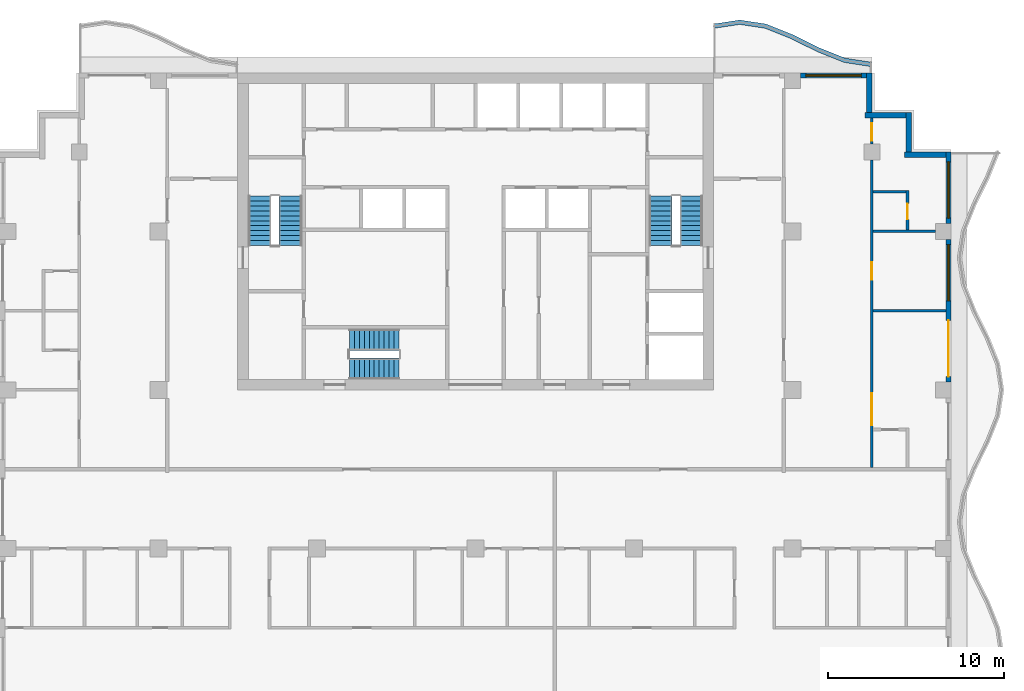
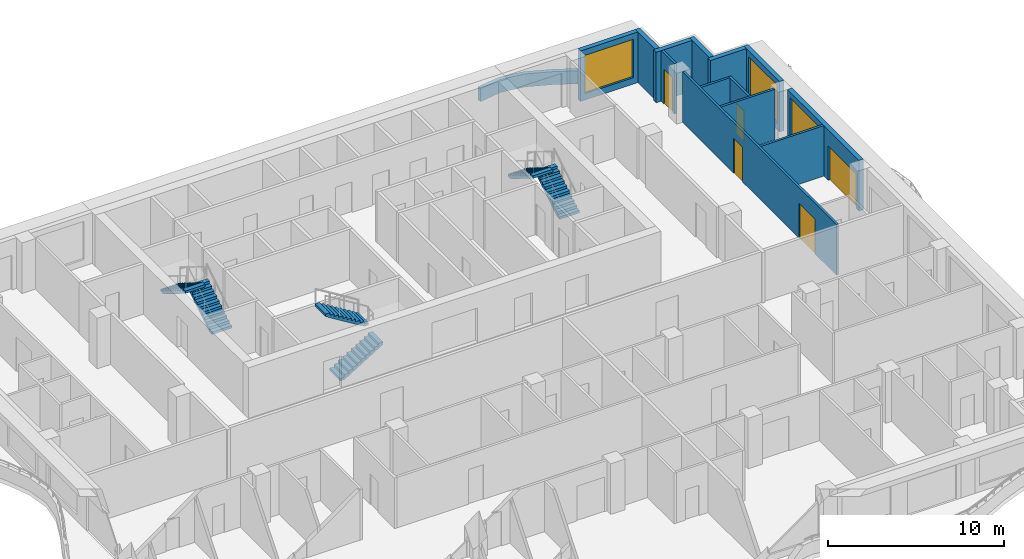
# One storey, part 7 of 12: 14 walls, 6 stair flights, 5 doors, 3 windows, 8 openings, 3 elements without a shape of their own.
"""IFC4 building model written with IfcOpenShell, lengths in metres."""

from ifc_helpers import new_model, si_unit, direction, frame, frame_2d, origin, place, context, subcontext, project, spatial, polyline, rectangle, outline, extrude, material, layer, layer_set, type_object, element, fill, aggregate, save


model = new_model("IFC4")

# Units and contexts
model_context = context("Model", 3, precision=1e-05, world=origin(), true_north=direction((0.0, 1.0)))
body_context = subcontext(model_context, "Body", "Model", "MODEL_VIEW")
ifc_project = project(units=[si_unit("LENGTHUNIT", "METRE"), si_unit("AREAUNIT", "SQUARE_METRE"), si_unit("VOLUMEUNIT", "CUBIC_METRE"), si_unit("PLANEANGLEUNIT", "RADIAN"), si_unit("MASSUNIT", "GRAM", prefix="KILO")], contexts=[model_context])

# Site, building, storey
site_placement = place(None, origin())
site = spatial("IfcSite", under=ifc_project, at=site_placement, CompositionType="ELEMENT")
building_placement = place(site_placement, origin())
building = spatial("IfcBuilding", under=site, at=building_placement, Name="Orbiselva Terraces", CompositionType="ELEMENT")
storey_placement = place(building_placement, frame((0.0, 0.0, 265.4)))
storey = spatial("IfcBuildingStorey", under=building, at=storey_placement, Name="L67", CompositionType="ELEMENT", Elevation=265.4)

# Wall
ifc_material_1 = material(Name="Concrete C40/50", Category="concrete")
ifc_layer_1 = layer(ifc_material_1, 0.25)
ifc_layer_set_1 = layer_set([ifc_layer_1], Name="Concrete C40/50")
wall_type_1 = type_object("IfcWallType", Name="ENV-PLANTER-250x900", PredefinedType="USERDEFINED", material=ifc_layer_set_1)
wall_1_placement = place(storey_placement, origin())
element("IfcWall", 1, at=wall_1_placement, inside=storey, type_object=wall_type_1, Name="Balcony planter L67 NE", ObjectType="PLANTER", PredefinedType="USERDEFINED", context=body_context, shape_type="SweptSolid", body=[
    extrude(outline(polyline([(22.5, 23.1), (21.0, 23.32918), (19.5, 23.92918), (18.0, 24.67082), (16.5, 25.27082), (15.0, 25.5), (13.5, 25.27082), (13.537758, 25.023688), (15.0, 25.247099), (16.433834, 25.028028), (17.898017, 24.442355), (19.398017, 23.700715), (20.933834, 23.086388), (22.462242, 22.852868), (22.5, 23.1)])), origin(), (0.0, 0.0, 1.0), 0.9),
])

# Wall, openings, door, window
ifc_material_2 = material(Name="Terracotta cladding on masonry backing", Category="masonry")
ifc_layer_2 = layer(ifc_material_2, 0.3)
ifc_layer_set_2 = layer_set([ifc_layer_2], Name="Terracotta cladding on masonry backing")
wall_type_2 = type_object("IfcWallType", Name="ENV-WALL-TERRACOTTA-300", PredefinedType="SOLIDWALL", material=ifc_layer_set_2)
wall_2_placement = place(storey_placement, frame((26.85, 13.05, 0.0), z_axis=(0.0, 0.0, 1.0), x_axis=(0.0, -1.0, 0.0)))
wall_2 = element("IfcWall", 2, at=wall_2_placement, inside=storey, type_object=wall_type_2, Name="Facade wall L67 E", PredefinedType="SOLIDWALL", context=body_context, shape_type="SweptSolid", body=[
    extrude(rectangle(XDim=8.1, YDim=0.3, at=frame_2d((4.05, 0.0))), origin(), (0.0, 0.0, 1.0), 3.5),
])
opening_1_placement = place(wall_2_placement, frame((4.6, 0.0, 0.0)))
opening_1 = element("IfcOpeningElement", 3, at=opening_1_placement, cuts=wall_2, Name="Opening Z5-C-E07", PredefinedType="OPENING", context=body_context, shape_type="SweptSolid", body=[
    extrude(rectangle(XDim=3.2, YDim=2.4, at=frame_2d((1.6, 1.2))), frame((0.0, 0.16, 0.0), z_axis=(0.0, -1.0, 0.0), x_axis=(1.0, 0.0, 0.0)), (0.0, 0.0, 1.0), 0.32),
])
opening_2_placement = place(wall_2_placement, frame((0.3, 0.0, 0.45)))
opening_2 = element("IfcOpeningElement", 4, at=opening_2_placement, cuts=wall_2, Name="Opening WN17", PredefinedType="OPENING", context=body_context, shape_type="SweptSolid", body=[
    extrude(rectangle(XDim=3.2, YDim=2.65, at=frame_2d((1.6, 1.325))), frame((0.0, 0.16, 0.0), z_axis=(0.0, -1.0, 0.0), x_axis=(1.0, 0.0, 0.0)), (0.0, 0.0, 1.0), 0.32),
])
ifc_material_3 = material(Name="Clear low-e glazing in aluminium frame", Category="aluminium")
door_type_1 = type_object("IfcDoorType", Name="BALCONY DOOR 3200 X 2400", OperationType="DOUBLE_DOOR_SLIDING", PredefinedType="DOOR", material=ifc_material_3)
door_1_placement = place(opening_1_placement, origin())
door_1 = element("IfcDoor", 5, at=door_1_placement, inside=storey, type_object=door_type_1, Name="Z5-C-E07", OperationType="SINGLE_SWING_LEFT", OverallHeight=2.4, OverallWidth=3.2, PredefinedType="DOOR", context=body_context, shape_type="SweptSolid", body=[
    extrude(rectangle(XDim=3.2, YDim=2.4, at=frame_2d((1.6, 1.2))), frame((0.0, 0.025, 0.0), z_axis=(0.0, -1.0, 0.0), x_axis=(1.0, 0.0, 0.0)), (0.0, 0.0, 1.0), 0.05),
])
fill(opening_1, door_1)
window_type_1 = type_object("IfcWindowType", Name="WINDOW 3200 X 2650 S450", PartitioningType="TRIPLE_PANEL_VERTICAL", PredefinedType="WINDOW", material=ifc_material_3)
window_1_placement = place(opening_2_placement, origin())
window_1 = element("IfcWindow", 6, at=window_1_placement, inside=storey, type_object=window_type_1, Name="Window L67 E", OverallHeight=2.65, OverallWidth=3.2, PartitioningType="SINGLE_PANEL", PredefinedType="WINDOW", context=body_context, shape_type="SweptSolid", body=[
    extrude(rectangle(XDim=3.2, YDim=2.65, at=frame_2d((1.6, 1.325))), frame((0.0, 0.03, 0.0), z_axis=(0.0, -1.0, 0.0), x_axis=(1.0, 0.0, 0.0)), (0.0, 0.0, 1.0), 0.06),
])
fill(opening_2, window_1)

# Wall, opening, window
wall_3_placement = place(storey_placement, frame((26.85, 18.0, 0.0), z_axis=(0.0, 0.0, 1.0), x_axis=(0.0, -1.0, 0.0)))
wall_3 = element("IfcWall", 7, at=wall_3_placement, inside=storey, type_object=wall_type_2, Name="Facade wall L67 E", PredefinedType="SOLIDWALL", context=body_context, shape_type="SweptSolid", body=[
    extrude(rectangle(XDim=4.05, YDim=0.3, at=frame_2d((2.025, 0.0))), origin(), (0.0, 0.0, 1.0), 3.5),
])
opening_3_placement = place(wall_3_placement, frame((0.55, 0.0, 0.45)))
opening_3 = element("IfcOpeningElement", 8, at=opening_3_placement, cuts=wall_3, Name="Opening WN17", PredefinedType="OPENING", context=body_context, shape_type="SweptSolid", body=[
    extrude(rectangle(XDim=3.2, YDim=2.65, at=frame_2d((1.6, 1.325))), frame((0.0, 0.16, 0.0), z_axis=(0.0, -1.0, 0.0), x_axis=(1.0, 0.0, 0.0)), (0.0, 0.0, 1.0), 0.32),
])
window_2_placement = place(opening_3_placement, origin())
window_2 = element("IfcWindow", 9, at=window_2_placement, inside=storey, type_object=window_type_1, Name="Window L67 E", OverallHeight=2.65, OverallWidth=3.2, PartitioningType="SINGLE_PANEL", PredefinedType="WINDOW", context=body_context, shape_type="SweptSolid", body=[
    extrude(rectangle(XDim=3.2, YDim=2.65, at=frame_2d((1.6, 1.325))), frame((0.0, 0.03, 0.0), z_axis=(0.0, -1.0, 0.0), x_axis=(1.0, 0.0, 0.0)), (0.0, 0.0, 1.0), 0.06),
])
fill(opening_3, window_2)

# Walls
wall_4_placement = place(storey_placement, frame((24.35, 17.85, 0.0), z_axis=(0.0, 0.0, 1.0), x_axis=(1.0, 0.0, 0.0)))
element("IfcWall", 10, at=wall_4_placement, inside=storey, type_object=wall_type_2, Name="Facade wall L67 STEP", PredefinedType="SOLIDWALL", context=body_context, shape_type="SweptSolid", body=[
    extrude(rectangle(XDim=2.35, YDim=0.3, at=frame_2d((1.175, 0.0))), origin(), (0.0, 0.0, 1.0), 3.5),
])
wall_5_placement = place(storey_placement, frame((24.6, 20.25, 0.0), z_axis=(0.0, 0.0, 1.0), x_axis=(0.0, -1.0, 0.0)))
element("IfcWall", 11, at=wall_5_placement, inside=storey, type_object=wall_type_2, Name="Facade wall L67 STEP", PredefinedType="SOLIDWALL", context=body_context, shape_type="SweptSolid", body=[
    extrude(rectangle(XDim=2.25, YDim=0.3, at=frame_2d((1.125, 0.0))), origin(), (0.0, 0.0, 1.0), 3.5),
])
wall_6_placement = place(storey_placement, frame((22.1, 20.1, 0.0), z_axis=(0.0, 0.0, 1.0), x_axis=(1.0, 0.0, 0.0)))
element("IfcWall", 12, at=wall_6_placement, inside=storey, type_object=wall_type_2, Name="Facade wall L67 STEP", PredefinedType="SOLIDWALL", context=body_context, shape_type="SweptSolid", body=[
    extrude(rectangle(XDim=2.35, YDim=0.3, at=frame_2d((1.175, 0.0))), origin(), (0.0, 0.0, 1.0), 3.5),
])
wall_7_placement = place(storey_placement, frame((22.35, 22.5, 0.0), z_axis=(0.0, 0.0, 1.0), x_axis=(0.0, -1.0, 0.0)))
element("IfcWall", 13, at=wall_7_placement, inside=storey, type_object=wall_type_2, Name="Facade wall L67 STEP", PredefinedType="SOLIDWALL", context=body_context, shape_type="SweptSolid", body=[
    extrude(rectangle(XDim=2.25, YDim=0.3, at=frame_2d((1.125, 0.0))), origin(), (0.0, 0.0, 1.0), 3.5),
])

# Wall, opening, window
wall_8_placement = place(storey_placement, frame((18.45, 22.35, 0.0), z_axis=(0.0, 0.0, 1.0), x_axis=(1.0, 0.0, 0.0)))
wall_8 = element("IfcWall", 14, at=wall_8_placement, inside=storey, type_object=wall_type_2, Name="Facade wall L67 NE", PredefinedType="SOLIDWALL", context=body_context, shape_type="SweptSolid", body=[
    extrude(rectangle(XDim=3.75, YDim=0.3, at=frame_2d((1.875, 0.0))), origin(), (0.0, 0.0, 1.0), 3.5),
])
opening_4_placement = place(wall_8_placement, frame((0.3, 0.0, 0.45)))
opening_4 = element("IfcOpeningElement", 15, at=opening_4_placement, cuts=wall_8, Name="Opening WN16", PredefinedType="OPENING", context=body_context, shape_type="SweptSolid", body=[
    extrude(rectangle(XDim=3.15, YDim=2.65, at=frame_2d((1.575, 1.325))), frame((0.0, 0.16, 0.0), z_axis=(0.0, -1.0, 0.0), x_axis=(1.0, 0.0, 0.0)), (0.0, 0.0, 1.0), 0.32),
])
window_type_2 = type_object("IfcWindowType", Name="WINDOW 3150 X 2650 S450", PartitioningType="TRIPLE_PANEL_VERTICAL", PredefinedType="WINDOW", material=ifc_material_3)
window_3_placement = place(opening_4_placement, origin())
window_3 = element("IfcWindow", 16, at=window_3_placement, inside=storey, type_object=window_type_2, Name="Window L67 NE", OverallHeight=2.65, OverallWidth=3.15, PartitioningType="SINGLE_PANEL", PredefinedType="WINDOW", context=body_context, shape_type="SweptSolid", body=[
    extrude(rectangle(XDim=3.15, YDim=2.65, at=frame_2d((1.575, 1.325))), frame((0.0, 0.03, 0.0), z_axis=(0.0, -1.0, 0.0), x_axis=(1.0, 0.0, 0.0)), (0.0, 0.0, 1.0), 0.06),
])
fill(opening_4, window_3)

# Walls
ifc_material_4 = material(Name="Plasterboard on steel stud partition", Category="steel")
ifc_layer_3 = layer(ifc_material_4, 0.15)
ifc_layer_set_3 = layer_set([ifc_layer_3], Name="Plasterboard on steel stud partition")
wall_type_3 = type_object("IfcWallType", Name="UNIT-PARTITION-150", PredefinedType="PARTITIONING", material=ifc_layer_set_3)
wall_9_placement = place(storey_placement, frame((22.575, 9.0, 0.0), z_axis=(0.0, 0.0, 1.0), x_axis=(1.0, 0.0, 0.0)))
element("IfcWall", 17, at=wall_9_placement, inside=storey, type_object=wall_type_3, Name="PARTITION L67-037", PredefinedType="PARTITIONING", context=body_context, shape_type="SweptSolid", body=[
    extrude(rectangle(XDim=4.125, YDim=0.15, at=frame_2d((2.0625, 0.0))), origin(), (0.0, 0.0, 1.0), 3.5),
])
wall_10_placement = place(storey_placement, frame((22.575, 13.5, 0.0), z_axis=(0.0, 0.0, 1.0), x_axis=(1.0, 0.0, 0.0)))
element("IfcWall", 18, at=wall_10_placement, inside=storey, type_object=wall_type_3, Name="PARTITION L67-039", PredefinedType="PARTITIONING", context=body_context, shape_type="SweptSolid", body=[
    extrude(rectangle(XDim=3.525, YDim=0.15, at=frame_2d((1.7625, 0.0))), origin(), (0.0, 0.0, 1.0), 3.5),
])
wall_11_placement = place(storey_placement, frame((22.575, 15.75, 0.0), z_axis=(0.0, 0.0, 1.0), x_axis=(1.0, 0.0, 0.0)))
element("IfcWall", 19, at=wall_11_placement, inside=storey, type_object=wall_type_3, Name="PARTITION L67-040", PredefinedType="PARTITIONING", context=body_context, shape_type="SweptSolid", body=[
    extrude(rectangle(XDim=1.875, YDim=0.15, at=frame_2d((0.9375, 0.0))), origin(), (0.0, 0.0, 1.0), 3.5),
])

# Wall, openings, doors
wall_12_placement = place(storey_placement, frame((22.5, 17.55, 0.0), z_axis=(0.0, 0.0, 1.0), x_axis=(0.0, -1.0, 0.0)))
wall_12 = element("IfcWall", 20, at=wall_12_placement, inside=storey, type_object=wall_type_3, Name="PARTITION L67-089", PredefinedType="PARTITIONING", context=body_context, shape_type="SweptSolid", body=[
    extrude(rectangle(XDim=17.45, YDim=0.15, at=frame_2d((8.725, 0.0))), origin(), (0.0, 0.0, 1.0), 3.5),
])
opening_5_placement = place(wall_12_placement, frame((13.25, 0.0, 0.0)))
opening_5 = element("IfcOpeningElement", 21, at=opening_5_placement, cuts=wall_12, Name="Opening Z5-C-10", PredefinedType="OPENING", context=body_context, shape_type="SweptSolid", body=[
    extrude(rectangle(XDim=1.8, YDim=2.4, at=frame_2d((0.9, 1.2))), frame((0.0, 0.085, 0.0), z_axis=(0.0, -1.0, 0.0), x_axis=(1.0, 0.0, 0.0)), (0.0, 0.0, 1.0), 0.17),
])
opening_6_placement = place(wall_12_placement, frame((5.8, 0.0, 0.0)))
opening_6 = element("IfcOpeningElement", 22, at=opening_6_placement, cuts=wall_12, Name="Opening Z5-C-12", PredefinedType="OPENING", context=body_context, shape_type="SweptSolid", body=[
    extrude(rectangle(XDim=1.0, YDim=2.4, at=frame_2d((0.5, 1.2))), frame((0.0, 0.085, 0.0), z_axis=(0.0, -1.0, 0.0), x_axis=(1.0, 0.0, 0.0)), (0.0, 0.0, 1.0), 0.17),
])
ifc_material_5 = material(Name="Painted timber door leaf", Category="wood")
door_type_2 = type_object("IfcDoorType", Name="DOUBLE DOOR 1800", OperationType="NOTDEFINED", PredefinedType="DOOR", material=ifc_material_5)
door_2_placement = place(opening_5_placement, origin())
door_2 = element("IfcDoor", 23, at=door_2_placement, inside=storey, type_object=door_type_2, Name="Z5-C-10", OperationType="DOUBLE_DOOR_SINGLE_SWING", OverallHeight=2.4, OverallWidth=1.8, PredefinedType="DOOR", context=body_context, shape_type="SweptSolid", body=[
    extrude(rectangle(XDim=1.8, YDim=2.4, at=frame_2d((0.9, 1.2))), frame((0.0, 0.025, 0.0), z_axis=(0.0, -1.0, 0.0), x_axis=(1.0, 0.0, 0.0)), (0.0, 0.0, 1.0), 0.05),
])
fill(opening_5, door_2)
door_type_3 = type_object("IfcDoorType", Name="ROOM DOOR 1000", OperationType="NOTDEFINED", PredefinedType="DOOR", material=ifc_material_5)
door_3_placement = place(opening_6_placement, origin())
door_3 = element("IfcDoor", 24, at=door_3_placement, inside=storey, type_object=door_type_3, Name="Z5-C-12", OperationType="SINGLE_SWING_LEFT", OverallHeight=2.4, OverallWidth=1.0, PredefinedType="DOOR", context=body_context, shape_type="SweptSolid", body=[
    extrude(rectangle(XDim=1.0, YDim=2.4, at=frame_2d((0.5, 1.2))), frame((0.0, 0.025, 0.0), z_axis=(0.0, -1.0, 0.0), x_axis=(1.0, 0.0, 0.0)), (0.0, 0.0, 1.0), 0.05),
])
fill(opening_6, door_3)

# Wall, opening, door
wall_13_placement = place(storey_placement, frame((22.5, 19.95, 0.0), z_axis=(0.0, 0.0, 1.0), x_axis=(0.0, -1.0, 0.0)))
wall_13 = element("IfcWall", 25, at=wall_13_placement, inside=storey, type_object=wall_type_3, Name="PARTITION L67-090", PredefinedType="PARTITIONING", context=body_context, shape_type="SweptSolid", body=[
    extrude(rectangle(XDim=1.5, YDim=0.15, at=frame_2d((0.75, 0.0))), origin(), (0.0, 0.0, 1.0), 3.5),
])
opening_7_placement = place(wall_13_placement, frame((0.3, 0.0, 0.0)))
opening_7 = element("IfcOpeningElement", 26, at=opening_7_placement, cuts=wall_13, Name="Opening Z5-C-13", PredefinedType="OPENING", context=body_context, shape_type="SweptSolid", body=[
    extrude(rectangle(XDim=1.0, YDim=2.4, at=frame_2d((0.5, 1.2))), frame((0.0, 0.085, 0.0), z_axis=(0.0, -1.0, 0.0), x_axis=(1.0, 0.0, 0.0)), (0.0, 0.0, 1.0), 0.17),
])
door_4_placement = place(opening_7_placement, origin())
door_4 = element("IfcDoor", 27, at=door_4_placement, inside=storey, type_object=door_type_3, Name="Z5-C-13", OperationType="SINGLE_SWING_RIGHT", OverallHeight=2.4, OverallWidth=1.0, PredefinedType="DOOR", context=body_context, shape_type="SweptSolid", body=[
    extrude(rectangle(XDim=1.0, YDim=2.4, at=frame_2d((0.5, 1.2))), frame((0.0, 0.025, 0.0), z_axis=(0.0, -1.0, 0.0), x_axis=(1.0, 0.0, 0.0)), (0.0, 0.0, 1.0), 0.05),
])
fill(opening_7, door_4)

wall_14_placement = place(storey_placement, frame((24.525, 13.575, 0.0), z_axis=(0.0, 0.0, 1.0), x_axis=(0.0, 1.0, 0.0)))
wall_14 = element("IfcWall", 28, at=wall_14_placement, inside=storey, type_object=wall_type_3, Name="PARTITION L67-093", PredefinedType="PARTITIONING", context=body_context, shape_type="SweptSolid", body=[
    extrude(rectangle(XDim=2.25, YDim=0.15, at=frame_2d((1.125, 0.0))), origin(), (0.0, 0.0, 1.0), 3.5),
])
opening_8_placement = place(wall_14_placement, frame((0.6, 0.0, 0.0)))
opening_8 = element("IfcOpeningElement", 29, at=opening_8_placement, cuts=wall_14, Name="Opening Z5-C-14", PredefinedType="OPENING", context=body_context, shape_type="SweptSolid", body=[
    extrude(rectangle(XDim=0.9, YDim=2.1, at=frame_2d((0.45, 1.05))), frame((0.0, 0.085, 0.0), z_axis=(0.0, -1.0, 0.0), x_axis=(1.0, 0.0, 0.0)), (0.0, 0.0, 1.0), 0.17),
])
door_type_4 = type_object("IfcDoorType", Name="BATH DOOR 900", OperationType="NOTDEFINED", PredefinedType="DOOR", material=ifc_material_5)
door_5_placement = place(opening_8_placement, origin())
door_5 = element("IfcDoor", 30, at=door_5_placement, inside=storey, type_object=door_type_4, Name="Z5-C-14", OperationType="SINGLE_SWING_LEFT", OverallHeight=2.1, OverallWidth=0.9, PredefinedType="DOOR", context=body_context, shape_type="SweptSolid", body=[
    extrude(rectangle(XDim=0.9, YDim=2.1, at=frame_2d((0.45, 1.05))), frame((0.0, 0.025, 0.0), z_axis=(0.0, -1.0, 0.0), x_axis=(1.0, 0.0, 0.0)), (0.0, 0.0, 1.0), 0.05),
])
fill(opening_8, door_5)

# Stair, stair flights
stair_type_1 = type_object("IfcStairType", Name="CORE-STAIR-1200", PredefinedType="HALF_TURN_STAIR", material=ifc_material_1)
stair_1_placement = place(storey_placement, origin())
stair_1 = element("IfcStair", 31, at=stair_1_placement, inside=storey, type_object=stair_type_1, Name="L67 Exit Stair S3", PredefinedType="HALF_TURN_STAIR")
stair_flight_type_1 = type_object("IfcStairFlightType", Name="CORE-STAIR-FLIGHT-1200", PredefinedType="STRAIGHT", material=ifc_material_1)
stair_flight_1_placement = place(storey_placement, frame((-7.15, 5.7, 0.0), z_axis=(0.0, 0.0, 1.0), x_axis=(1.0, 0.0, 0.0)))
stair_flight_1 = element("IfcStairFlight", 32, at=stair_flight_1_placement, type_object=stair_flight_type_1, Name="S3 flight 1", NumberOfRisers=11, NumberOfTreads=10, PredefinedType="STRAIGHT", RiserHeight=0.172727273, TreadLength=0.28, context=body_context, shape_type="SweptSolid", body=[
    extrude(outline(polyline([(0.0, 0.0), (0.0, 0.172727), (0.28, 0.172727), (0.28, 0.345455), (0.56, 0.345455), (0.56, 0.518182), (0.84, 0.518182), (0.84, 0.690909), (1.12, 0.690909), (1.12, 0.863636), (1.4, 0.863636), (1.4, 1.036364), (1.68, 1.036364), (1.68, 1.209091), (1.96, 1.209091), (1.96, 1.381818), (2.24, 1.381818), (2.24, 1.554545), (2.52, 1.554545), (2.52, 1.727273), (2.8, 1.727273), (2.8, 1.9), (2.8, 1.551028), (0.285702, 0.0), (0.0, 0.0)])), frame((0.0, 0.6, 0.0), z_axis=(0.0, -1.0, 0.0), x_axis=(1.0, 0.0, 0.0)), (0.0, 0.0, 1.0), 1.2),
])
stair_flight_2_placement = place(storey_placement, frame((-4.35, 7.35, 1.9), z_axis=(0.0, 0.0, 1.0), x_axis=(-1.0, 0.0, 0.0)))
stair_flight_2 = element("IfcStairFlight", 33, at=stair_flight_2_placement, type_object=stair_flight_type_1, Name="S3 flight 2", NumberOfRisers=11, NumberOfTreads=10, PredefinedType="STRAIGHT", RiserHeight=0.172727273, TreadLength=0.28, context=body_context, shape_type="SweptSolid", body=[
    extrude(outline(polyline([(0.0, 0.0), (0.0, 0.172727), (0.28, 0.172727), (0.28, 0.345455), (0.56, 0.345455), (0.56, 0.518182), (0.84, 0.518182), (0.84, 0.690909), (1.12, 0.690909), (1.12, 0.863636), (1.4, 0.863636), (1.4, 1.036364), (1.68, 1.036364), (1.68, 1.209091), (1.96, 1.209091), (1.96, 1.381818), (2.24, 1.381818), (2.24, 1.554545), (2.52, 1.554545), (2.52, 1.727273), (2.8, 1.727273), (2.8, 1.9), (2.8, 1.551028), (0.285702, 0.0), (0.0, 0.0)])), frame((0.0, 0.6, 0.0), z_axis=(0.0, -1.0, 0.0), x_axis=(1.0, 0.0, 0.0)), (0.0, 0.0, 1.0), 1.2),
])
aggregate(stair_1, [stair_flight_1, stair_flight_2])

stair_type_2 = type_object("IfcStairType", Name="CORE-STAIR-1300", PredefinedType="HALF_TURN_STAIR", material=ifc_material_1)
stair_2_placement = place(storey_placement, origin())
stair_2 = element("IfcStair", 34, at=stair_2_placement, inside=storey, type_object=stair_type_2, Name="L67 Exit Stair S1", PredefinedType="HALF_TURN_STAIR")
stair_flight_type_2 = type_object("IfcStairFlightType", Name="CORE-STAIR-FLIGHT-1300", PredefinedType="STRAIGHT", material=ifc_material_1)
stair_flight_3_placement = place(storey_placement, frame((-10.5, 12.7, 0.0), z_axis=(0.0, 0.0, 1.0), x_axis=(0.0, 1.0, 0.0)))
stair_flight_3 = element("IfcStairFlight", 35, at=stair_flight_3_placement, type_object=stair_flight_type_2, Name="S1 flight 1", NumberOfRisers=11, NumberOfTreads=10, PredefinedType="STRAIGHT", RiserHeight=0.172727273, TreadLength=0.28, context=body_context, shape_type="SweptSolid", body=[
    extrude(outline(polyline([(0.0, 0.0), (0.0, 0.172727), (0.28, 0.172727), (0.28, 0.345455), (0.56, 0.345455), (0.56, 0.518182), (0.84, 0.518182), (0.84, 0.690909), (1.12, 0.690909), (1.12, 0.863636), (1.4, 0.863636), (1.4, 1.036364), (1.68, 1.036364), (1.68, 1.209091), (1.96, 1.209091), (1.96, 1.381818), (2.24, 1.381818), (2.24, 1.554545), (2.52, 1.554545), (2.52, 1.727273), (2.8, 1.727273), (2.8, 1.9), (2.8, 1.551028), (0.285702, 0.0), (0.0, 0.0)])), frame((0.0, 0.65, 0.0), z_axis=(0.0, -1.0, 0.0), x_axis=(1.0, 0.0, 0.0)), (0.0, 0.0, 1.0), 1.3),
])
stair_flight_4_placement = place(storey_placement, frame((-12.25, 15.5, 1.9), z_axis=(0.0, 0.0, 1.0), x_axis=(0.0, -1.0, 0.0)))
stair_flight_4 = element("IfcStairFlight", 36, at=stair_flight_4_placement, type_object=stair_flight_type_2, Name="S1 flight 2", NumberOfRisers=11, NumberOfTreads=10, PredefinedType="STRAIGHT", RiserHeight=0.172727273, TreadLength=0.28, context=body_context, shape_type="SweptSolid", body=[
    extrude(outline(polyline([(0.0, 0.0), (0.0, 0.172727), (0.28, 0.172727), (0.28, 0.345455), (0.56, 0.345455), (0.56, 0.518182), (0.84, 0.518182), (0.84, 0.690909), (1.12, 0.690909), (1.12, 0.863636), (1.4, 0.863636), (1.4, 1.036364), (1.68, 1.036364), (1.68, 1.209091), (1.96, 1.209091), (1.96, 1.381818), (2.24, 1.381818), (2.24, 1.554545), (2.52, 1.554545), (2.52, 1.727273), (2.8, 1.727273), (2.8, 1.9), (2.8, 1.551028), (0.285702, 0.0), (0.0, 0.0)])), frame((0.0, 0.65, 0.0), z_axis=(0.0, -1.0, 0.0), x_axis=(1.0, 0.0, 0.0)), (0.0, 0.0, 1.0), 1.3),
])
aggregate(stair_2, [stair_flight_3, stair_flight_4])

stair_3_placement = place(storey_placement, origin())
stair_3 = element("IfcStair", 37, at=stair_3_placement, inside=storey, type_object=stair_type_2, Name="L67 Exit Stair S2", PredefinedType="HALF_TURN_STAIR")
stair_flight_5_placement = place(storey_placement, frame((12.25, 12.7, 0.0), z_axis=(0.0, 0.0, 1.0), x_axis=(0.0, 1.0, 0.0)))
stair_flight_5 = element("IfcStairFlight", 38, at=stair_flight_5_placement, type_object=stair_flight_type_2, Name="S2 flight 1", NumberOfRisers=11, NumberOfTreads=10, PredefinedType="STRAIGHT", RiserHeight=0.172727273, TreadLength=0.28, context=body_context, shape_type="SweptSolid", body=[
    extrude(outline(polyline([(0.0, 0.0), (0.0, 0.172727), (0.28, 0.172727), (0.28, 0.345455), (0.56, 0.345455), (0.56, 0.518182), (0.84, 0.518182), (0.84, 0.690909), (1.12, 0.690909), (1.12, 0.863636), (1.4, 0.863636), (1.4, 1.036364), (1.68, 1.036364), (1.68, 1.209091), (1.96, 1.209091), (1.96, 1.381818), (2.24, 1.381818), (2.24, 1.554545), (2.52, 1.554545), (2.52, 1.727273), (2.8, 1.727273), (2.8, 1.9), (2.8, 1.551028), (0.285702, 0.0), (0.0, 0.0)])), frame((0.0, 0.65, 0.0), z_axis=(0.0, -1.0, 0.0), x_axis=(1.0, 0.0, 0.0)), (0.0, 0.0, 1.0), 1.3),
])
stair_flight_6_placement = place(storey_placement, frame((10.5, 15.5, 1.9), z_axis=(0.0, 0.0, 1.0), x_axis=(0.0, -1.0, 0.0)))
stair_flight_6 = element("IfcStairFlight", 39, at=stair_flight_6_placement, type_object=stair_flight_type_2, Name="S2 flight 2", NumberOfRisers=11, NumberOfTreads=10, PredefinedType="STRAIGHT", RiserHeight=0.172727273, TreadLength=0.28, context=body_context, shape_type="SweptSolid", body=[
    extrude(outline(polyline([(0.0, 0.0), (0.0, 0.172727), (0.28, 0.172727), (0.28, 0.345455), (0.56, 0.345455), (0.56, 0.518182), (0.84, 0.518182), (0.84, 0.690909), (1.12, 0.690909), (1.12, 0.863636), (1.4, 0.863636), (1.4, 1.036364), (1.68, 1.036364), (1.68, 1.209091), (1.96, 1.209091), (1.96, 1.381818), (2.24, 1.381818), (2.24, 1.554545), (2.52, 1.554545), (2.52, 1.727273), (2.8, 1.727273), (2.8, 1.9), (2.8, 1.551028), (0.285702, 0.0), (0.0, 0.0)])), frame((0.0, 0.65, 0.0), z_axis=(0.0, -1.0, 0.0), x_axis=(1.0, 0.0, 0.0)), (0.0, 0.0, 1.0), 1.3),
])
aggregate(stair_3, [stair_flight_5, stair_flight_6])

save(model, "model.ifc")
